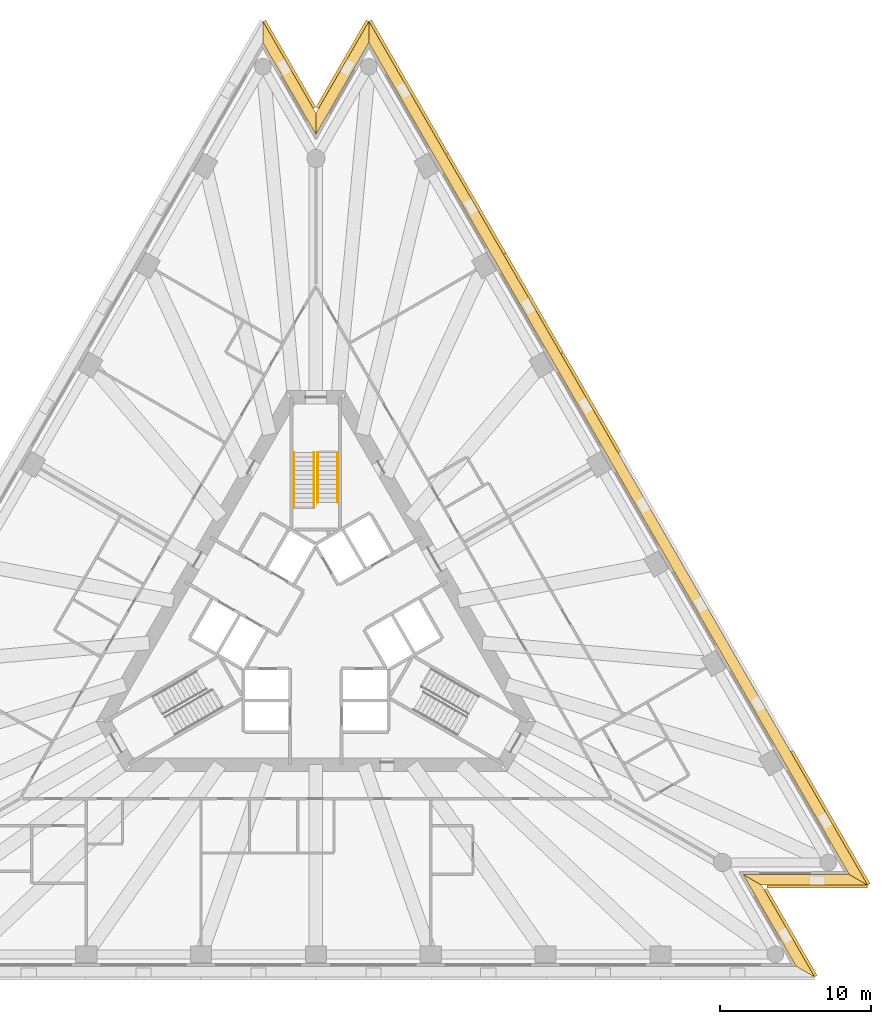
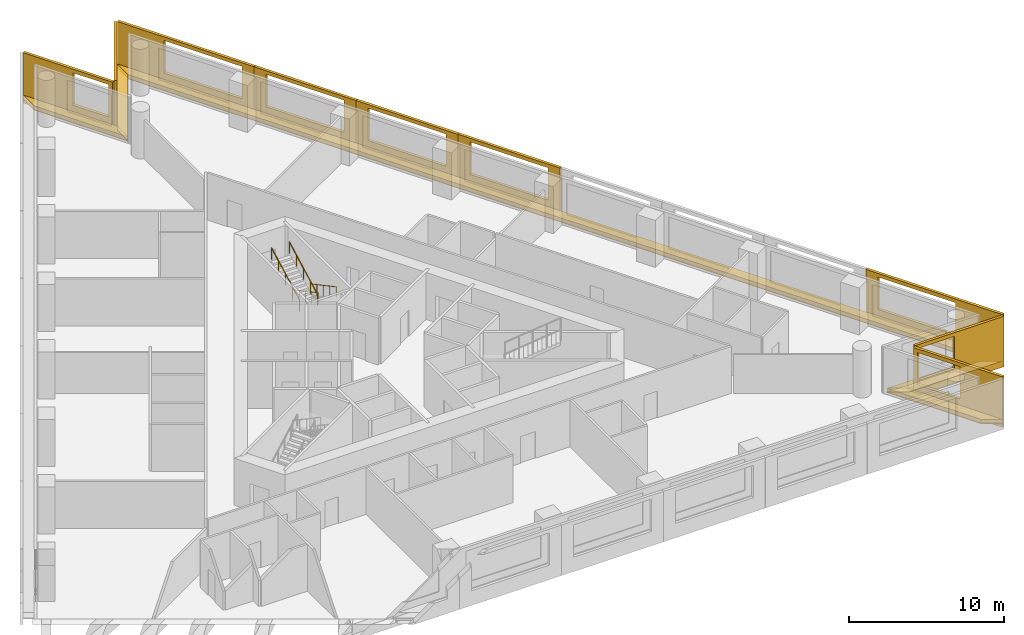
# One storey, part 11 of 11: 14 shading devices, 5 coverings, 4 railings, 1 element without a shape of its own.
"""IFC4 building model written with IfcOpenShell, lengths in metres."""

from ifc_helpers import new_model, si_unit, direction, frame, origin, origin_2d, place, context, subcontext, project, spatial, polyline, circle, outline, extrude, material, layer, layer_set, layer_usage, type_object, element, aggregate, save


model = new_model("IFC4")

# Units and contexts
model_context = context("Model", 3, precision=1e-05, world=origin(), true_north=direction((0.0, 1.0)))
body_context = subcontext(model_context, "Body", "Model", "MODEL_VIEW")
ifc_project = project(units=[si_unit("LENGTHUNIT", "METRE"), si_unit("AREAUNIT", "SQUARE_METRE"), si_unit("VOLUMEUNIT", "CUBIC_METRE"), si_unit("PLANEANGLEUNIT", "RADIAN"), si_unit("MASSUNIT", "GRAM", prefix="KILO")], contexts=[model_context])

# Site, building, storey
site_placement = place(None, origin())
site = spatial("IfcSite", under=ifc_project, at=site_placement, CompositionType="ELEMENT")
building_placement = place(site_placement, origin())
building = spatial("IfcBuilding", under=site, at=building_placement, Name="Triada Interchange Tower", CompositionType="ELEMENT")
storey_placement = place(building_placement, frame((0.0, 0.0, 39.300048828125)))
storey = spatial("IfcBuildingStorey", under=building, at=storey_placement, Name="L07", CompositionType="ELEMENT", Elevation=39.300048828125)

# Coverings
ifc_material_1 = material(Name="Mineral fire-stop board")
ifc_layer_1 = layer(ifc_material_1, 0.0400390625, Name="Mineral fire-stop board")
ifc_material_2 = material(Name="Intumescent sealant")
ifc_layer_2 = layer(ifc_material_2, 0.010009765625, Name="Intumescent seal")
ifc_layer_set_1 = layer_set([ifc_layer_1, ifc_layer_2], Name="Cavity fire stop")
ifc_layer_usage = layer_usage(ifc_layer_set_1, "AXIS3", "POSITIVE", 0.0)
covering_type = type_object("IfcCoveringType", Name="Cavity fire stop", PredefinedType="INSULATION", material=ifc_layer_set_1)
covering_1_placement = place(storey_placement, origin())
element("IfcCovering", 1, at=covering_1_placement, inside=storey, type_object=covering_type, material=ifc_layer_usage, Name="Cavity fire stop L07 SE-1", PredefinedType="INSULATION", context=body_context, shape_type="SweptSolid", body=[
    extrude(outline(polyline([(31.782958984375, -22.39990234375), (32.9951171875, -23.10009765625), (29.488037109375, -17.02490234375), (28.27587890625, -16.324951171875), (31.782958984375, -22.39990234375)])), origin(), (0.0, 0.0, 1.0), 0.050048828125),
])
covering_2_placement = place(storey_placement, origin())
element("IfcCovering", 2, at=covering_2_placement, inside=storey, type_object=covering_type, material=ifc_layer_usage, Name="Cavity fire stop L07 SE-2", PredefinedType="INSULATION", context=body_context, shape_type="SweptSolid", body=[
    extrude(outline(polyline([(28.27587890625, -16.324951171875), (29.488037109375, -17.02490234375), (36.5029296875, -17.02490234375), (35.291015625, -16.324951171875), (28.27587890625, -16.324951171875)])), origin(), (0.0, 0.0, 1.0), 0.050048828125),
])
covering_3_placement = place(storey_placement, origin())
element("IfcCovering", 3, at=covering_3_placement, inside=storey, type_object=covering_type, material=ifc_layer_usage, Name="Cavity fire stop L07 NE", PredefinedType="INSULATION", context=body_context, shape_type="SweptSolid", body=[
    extrude(outline(polyline([(35.291015625, -16.324951171875), (36.5029296875, -17.02490234375), (3.507080078125, 40.125), (3.507080078125, 38.72509765625), (35.291015625, -16.324951171875)])), origin(), (0.0, 0.0, 1.0), 0.050048828125),
])
covering_4_placement = place(storey_placement, origin())
element("IfcCovering", 4, at=covering_4_placement, inside=storey, type_object=covering_type, material=ifc_layer_usage, Name="Cavity fire stop L07 N-1", PredefinedType="INSULATION", context=body_context, shape_type="SweptSolid", body=[
    extrude(outline(polyline([(3.507080078125, 38.72509765625), (3.507080078125, 40.125), (0.0, 34.050048828125), (0.0, 32.64990234375), (3.507080078125, 38.72509765625)])), origin(), (0.0, 0.0, 1.0), 0.050048828125),
])
covering_5_placement = place(storey_placement, origin())
element("IfcCovering", 5, at=covering_5_placement, inside=storey, type_object=covering_type, material=ifc_layer_usage, Name="Cavity fire stop L07 N-2", PredefinedType="INSULATION", context=body_context, shape_type="SweptSolid", body=[
    extrude(outline(polyline([(0.0, 32.64990234375), (0.0, 34.050048828125), (-3.507080078125, 40.125), (-3.507080078125, 38.72509765625), (0.0, 32.64990234375)])), origin(), (0.0, 0.0, 1.0), 0.050048828125),
])

# Shading devices
ifc_material_3 = material(Name="Aluminium louvre", Category="aluminium")
shading_device_type_1 = type_object("IfcShadingDeviceType", Name="Cavity louvre grille", PredefinedType="JALOUSIE", material=ifc_material_3)
shading_device_1_placement = place(storey_placement, frame((0.0, 0.0, 0.050048828125)))
element("IfcShadingDevice", 6, at=shading_device_1_placement, inside=storey, type_object=shading_device_type_1, Name="Cavity louvre grille L07 SE-1", PredefinedType="JALOUSIE", context=body_context, shape_type="SweptSolid", body=[
    extrude(outline(polyline([(31.782958984375, -22.39990234375), (32.9951171875, -23.10009765625), (29.488037109375, -17.02490234375), (28.27587890625, -16.324951171875), (31.782958984375, -22.39990234375)])), origin(), (0.0, 0.0, 1.0), 0.2998046875),
])
shading_device_2_placement = place(storey_placement, frame((0.0, 0.0, 0.050048828125)))
element("IfcShadingDevice", 7, at=shading_device_2_placement, inside=storey, type_object=shading_device_type_1, Name="Cavity louvre grille L07 SE-2", PredefinedType="JALOUSIE", context=body_context, shape_type="SweptSolid", body=[
    extrude(outline(polyline([(28.27587890625, -16.324951171875), (29.488037109375, -17.02490234375), (36.5029296875, -17.02490234375), (35.291015625, -16.324951171875), (28.27587890625, -16.324951171875)])), origin(), (0.0, 0.0, 1.0), 0.2998046875),
])
shading_device_3_placement = place(storey_placement, frame((0.0, 0.0, 0.050048828125)))
element("IfcShadingDevice", 8, at=shading_device_3_placement, inside=storey, type_object=shading_device_type_1, Name="Cavity louvre grille L07 NE", PredefinedType="JALOUSIE", context=body_context, shape_type="SweptSolid", body=[
    extrude(outline(polyline([(35.291015625, -16.324951171875), (36.5029296875, -17.02490234375), (3.507080078125, 40.125), (3.507080078125, 38.72509765625), (35.291015625, -16.324951171875)])), origin(), (0.0, 0.0, 1.0), 0.2998046875),
])
shading_device_4_placement = place(storey_placement, frame((0.0, 0.0, 0.050048828125)))
element("IfcShadingDevice", 9, at=shading_device_4_placement, inside=storey, type_object=shading_device_type_1, Name="Cavity louvre grille L07 N-1", PredefinedType="JALOUSIE", context=body_context, shape_type="SweptSolid", body=[
    extrude(outline(polyline([(3.507080078125, 38.72509765625), (3.507080078125, 40.125), (0.0, 34.050048828125), (0.0, 32.64990234375), (3.507080078125, 38.72509765625)])), origin(), (0.0, 0.0, 1.0), 0.2998046875),
])
shading_device_5_placement = place(storey_placement, frame((0.0, 0.0, 0.050048828125)))
element("IfcShadingDevice", 10, at=shading_device_5_placement, inside=storey, type_object=shading_device_type_1, Name="Cavity louvre grille L07 N-2", PredefinedType="JALOUSIE", context=body_context, shape_type="SweptSolid", body=[
    extrude(outline(polyline([(0.0, 32.64990234375), (0.0, 34.050048828125), (-3.507080078125, 40.125), (-3.507080078125, 38.72509765625), (0.0, 32.64990234375)])), origin(), (0.0, 0.0, 1.0), 0.2998046875),
])
ifc_material_4 = material(Name="Concrete C50/60 precast", Category="concrete")
ifc_layer_3 = layer(ifc_material_4, 0.02001953125, Name="Exposed aggregate face")
ifc_layer_4 = layer(ifc_material_4, 0.179931640625, Name="Precast concrete screen")
ifc_layer_set_2 = layer_set([ifc_layer_3, ifc_layer_4], Name="Outer skin screen panel 3980")
shading_device_type_2 = type_object("IfcShadingDeviceType", Name="Outer skin screen panel 3980", PredefinedType="SHUTTER", material=ifc_layer_set_2)
shading_device_6_placement = place(storey_placement, frame((32.989990234375, -23.091064453125, -0.2900390625), z_axis=(0.0, 0.0, 1.0), x_axis=(-0.50001386285, 0.866017399916, 0.0)))
element("IfcShadingDevice", 11, at=shading_device_6_placement, inside=storey, type_object=shading_device_type_2, Name="Outer skin screen panel L07 19", PredefinedType="SHUTTER", context=body_context, shape_type="SweptSolid", body=[
    extrude(outline(polyline([(0.0, 0.0), (6.647705078125, 0.0), (6.647705078125, 3.97998046875), (0.0, 3.97998046875), (0.0, 0.0)]), holes=[polyline([(3.17529296875, 1.139892578125), (3.17529296875, 3.68994140625), (6.347900390625, 3.68994140625), (6.347900390625, 1.139892578125), (3.17529296875, 1.139892578125)])]), frame((0.0, 0.0, 0.0), z_axis=(0.0, -1.0, 0.0), x_axis=(1.0, 0.0, 0.0)), (0.0, 0.0, 1.0), 0.199951171875),
])
shading_device_7_placement = place(storey_placement, frame((29.844970703125, -17.02490234375, -0.2900390625), z_axis=(0.0, 0.0, 1.0), x_axis=(1.0, 0.0, 0.0)))
element("IfcShadingDevice", 12, at=shading_device_7_placement, inside=storey, type_object=shading_device_type_2, Name="Outer skin screen panel L07 20", PredefinedType="SHUTTER", context=body_context, shape_type="SweptSolid", body=[
    extrude(outline(polyline([(0.0, 0.0), (6.64794921875, 0.0), (6.64794921875, 3.97998046875), (0.0, 3.97998046875), (0.0, 0.0)]), holes=[polyline([(0.300048828125, 1.139892578125), (0.300048828125, 3.68994140625), (2.9580078125, 3.68994140625), (2.9580078125, 1.139892578125), (0.300048828125, 1.139892578125)])]), frame((0.0, 0.0, 0.0), z_axis=(0.0, -1.0, 0.0), x_axis=(1.0, 0.0, 0.0)), (0.0, 0.0, 1.0), 0.199951171875),
])
shading_device_8_placement = place(storey_placement, frame((36.498046875, -17.01611328125, -0.2900390625), z_axis=(0.0, 0.0, 1.0), x_axis=(-0.500016609325, 0.866015814174, 0.0)))
element("IfcShadingDevice", 13, at=shading_device_8_placement, inside=storey, type_object=shading_device_type_2, Name="Outer skin screen panel L07 21", PredefinedType="SHUTTER", context=body_context, shape_type="SweptSolid", body=[
    extrude(outline(polyline([(0.0, 0.0), (10.177978515625, 0.0), (10.177978515625, 3.97998046875), (0.0, 3.97998046875), (0.0, 0.0)]), holes=[polyline([(3.4873046875, 1.139892578125), (3.4873046875, 3.68994140625), (9.287353515625, 3.68994140625), (9.287353515625, 1.139892578125), (3.4873046875, 1.139892578125)])]), frame((0.0, 0.0, 0.0), z_axis=(0.0, -1.0, 0.0), x_axis=(1.0, 0.0, 0.0)), (0.0, 0.0, 1.0), 0.199951171875),
])
shading_device_9_placement = place(storey_placement, frame((20.0, 11.55908203125, -0.2900390625), z_axis=(0.0, 0.0, 1.0), x_axis=(-0.500032870163, 0.866006425355, 0.0)))
element("IfcShadingDevice", 14, at=shading_device_9_placement, inside=storey, type_object=shading_device_type_2, Name="Outer skin screen panel L07 25", PredefinedType="SHUTTER", context=body_context, shape_type="SweptSolid", body=[
    extrude(outline(polyline([(0.0, 0.0), (7.57958984375, 0.0), (7.57958984375, 3.97998046875), (0.0, 3.97998046875), (0.0, 0.0)]), holes=[polyline([(0.8896484375, 1.139892578125), (0.8896484375, 3.68994140625), (6.689697265625, 3.68994140625), (6.689697265625, 1.139892578125), (0.8896484375, 1.139892578125)])]), frame((0.0, 0.0, 0.0), z_axis=(0.0, -1.0, 0.0), x_axis=(1.0, 0.0, 0.0)), (0.0, 0.0, 1.0), 0.199951171875),
])
shading_device_10_placement = place(storey_placement, frame((16.199951171875, 18.139892578125, -0.2900390625), z_axis=(0.0, 0.0, 1.0), x_axis=(-0.499922287265, 0.866070266604, 0.0)))
element("IfcShadingDevice", 15, at=shading_device_10_placement, inside=storey, type_object=shading_device_type_2, Name="Outer skin screen panel L07 26", PredefinedType="SHUTTER", context=body_context, shape_type="SweptSolid", body=[
    extrude(outline(polyline([(0.0, 0.0), (7.579345703125, 0.0), (7.579345703125, 3.97998046875), (0.0, 3.97998046875), (0.0, 0.0)]), holes=[polyline([(0.88916015625, 1.139892578125), (0.88916015625, 3.68994140625), (6.689208984375, 3.68994140625), (6.689208984375, 1.139892578125), (0.88916015625, 1.139892578125)])]), frame((0.0, 0.0, 0.0), z_axis=(0.0, -1.0, 0.0), x_axis=(1.0, 0.0, 0.0)), (0.0, 0.0, 1.0), 0.199951171875),
])
shading_device_11_placement = place(storey_placement, frame((12.40087890625, 24.720947265625, -0.2900390625), z_axis=(0.0, 0.0, 1.0), x_axis=(-0.500008712905, 0.866020373328, 0.0)))
element("IfcShadingDevice", 16, at=shading_device_11_placement, inside=storey, type_object=shading_device_type_2, Name="Outer skin screen panel L07 27", PredefinedType="SHUTTER", context=body_context, shape_type="SweptSolid", body=[
    extrude(outline(polyline([(0.0, 0.0), (7.579345703125, 0.0), (7.579345703125, 3.97998046875), (0.0, 3.97998046875), (0.0, 0.0)]), holes=[polyline([(0.889892578125, 1.139892578125), (0.889892578125, 3.68994140625), (6.689697265625, 3.68994140625), (6.689697265625, 1.139892578125), (0.889892578125, 1.139892578125)])]), frame((0.0, 0.0, 0.0), z_axis=(0.0, -1.0, 0.0), x_axis=(1.0, 0.0, 0.0)), (0.0, 0.0, 1.0), 0.199951171875),
])
shading_device_12_placement = place(storey_placement, frame((8.60107421875, 31.302001953125, -0.2900390625), z_axis=(0.0, 0.0, 1.0), x_axis=(-0.500026996568, 0.866009816748, 0.0)))
element("IfcShadingDevice", 17, at=shading_device_12_placement, inside=storey, type_object=shading_device_type_2, Name="Outer skin screen panel L07 28", PredefinedType="SHUTTER", context=body_context, shape_type="SweptSolid", body=[
    extrude(outline(polyline([(0.0, 0.0), (10.177734375, 0.0), (10.177734375, 3.97998046875), (0.0, 3.97998046875), (0.0, 0.0)]), holes=[polyline([(0.889404296875, 1.139892578125), (0.889404296875, 3.68994140625), (6.689453125, 3.68994140625), (6.689453125, 1.139892578125), (0.889404296875, 1.139892578125)])]), frame((0.0, 0.0, 0.0), z_axis=(0.0, -1.0, 0.0), x_axis=(1.0, 0.0, 0.0)), (0.0, 0.0, 1.0), 0.199951171875),
])
shading_device_13_placement = place(storey_placement, frame((3.501953125, 40.115966796875, -0.2900390625), z_axis=(0.0, 0.0, 1.0), x_axis=(-0.50001386285, -0.866017399916, 0.0)))
element("IfcShadingDevice", 18, at=shading_device_13_placement, inside=storey, type_object=shading_device_type_2, Name="Outer skin screen panel L07 29", PredefinedType="SHUTTER", context=body_context, shape_type="SweptSolid", body=[
    extrude(outline(polyline([(0.0, 0.0), (6.647705078125, 0.0), (6.647705078125, 3.97998046875), (0.0, 3.97998046875), (0.0, 0.0)]), holes=[polyline([(3.175537109375, 1.139892578125), (3.175537109375, 3.68994140625), (6.34814453125, 3.68994140625), (6.34814453125, 1.139892578125), (3.175537109375, 1.139892578125)])]), frame((0.0, 0.0, 0.0), z_axis=(0.0, -1.0, 0.0), x_axis=(1.0, 0.0, 0.0)), (0.0, 0.0, 1.0), 0.199951171875),
])
shading_device_14_placement = place(storey_placement, frame((-0.177978515625, 34.35888671875, -0.2900390625), z_axis=(0.0, 0.0, 1.0), x_axis=(-0.50001386285, 0.866017399916, 0.0)))
element("IfcShadingDevice", 19, at=shading_device_14_placement, inside=storey, type_object=shading_device_type_2, Name="Outer skin screen panel L07 30", PredefinedType="SHUTTER", context=body_context, shape_type="SweptSolid", body=[
    extrude(outline(polyline([(0.0, 0.0), (6.647705078125, 0.0), (6.647705078125, 3.97998046875), (0.0, 3.97998046875), (0.0, 0.0)]), holes=[polyline([(0.300048828125, 1.139892578125), (0.300048828125, 3.68994140625), (2.957763671875, 3.68994140625), (2.957763671875, 1.139892578125), (0.300048828125, 1.139892578125)])]), frame((0.0, 0.0, 0.0), z_axis=(0.0, -1.0, 0.0), x_axis=(1.0, 0.0, 0.0)), (0.0, 0.0, 1.0), 0.199951171875),
])

# Stair, railings
ifc_material_5 = material(Name="Concrete C35/45", Category="concrete")
stair_type = type_object("IfcStairType", Name="HALF TURN STAIR 1400", PredefinedType="HALF_TURN_STAIR", material=ifc_material_5)
stair_placement = place(storey_placement, origin())
stair = element("IfcStair", 20, at=stair_placement, inside=storey, type_object=stair_type, Name="Exit stair S06-1", PredefinedType="HALF_TURN_STAIR")
ifc_material_6 = material(Name="Stainless steel 1.4301", Category="steel")
railing_type = type_object("IfcRailingType", Name="STAIR HANDRAIL 900", PredefinedType="HANDRAIL", material=ifc_material_6)
railing_1_placement = place(storey_placement, frame((1.449951171875, 11.60009765625, 0.159912109375)))
railing_1 = element("IfcRailing", 21, at=railing_1_placement, type_object=railing_type, Name="Handrail S06-1 1W", PredefinedType="HANDRAIL", context=body_context, shape_type="SweptSolid", body=[
    extrude(circle(Radius=0.02392578125, at=origin_2d()), frame((0.0, 0.0, 0.8759765625), z_axis=(0.0, -0.882354748157, 0.47058484719), x_axis=(1.0, 0.0, 0.0)), (0.0, 0.0, 1.0), 3.739990234375),
    extrude(circle(Radius=0.02099609375, at=origin_2d()), origin(), (0.0, 0.0, 1.0), 0.851806640625),
    extrude(circle(Radius=0.02099609375, at=origin_2d()), frame((0.0, -0.824951171875, 0.43994140625)), (0.0, 0.0, 1.0), 0.851806640625),
    extrude(circle(Radius=0.02099609375, at=origin_2d()), frame((0.0, -1.64990234375, 0.8798828125)), (0.0, 0.0, 1.0), 0.851806640625),
    extrude(circle(Radius=0.02099609375, at=origin_2d()), frame((0.0, -2.47509765625, 1.320068359375)), (0.0, 0.0, 1.0), 0.851806640625),
    extrude(circle(Radius=0.02099609375, at=origin_2d()), frame((0.0, -3.300048828125, 1.760009765625)), (0.0, 0.0, 1.0), 0.851806640625),
])
railing_2_placement = place(storey_placement, frame((0.1201171875, 11.60009765625, 0.159912109375)))
railing_2 = element("IfcRailing", 22, at=railing_2_placement, type_object=railing_type, Name="Handrail S06-1 1C", PredefinedType="HANDRAIL", context=body_context, shape_type="SweptSolid", body=[
    extrude(circle(Radius=0.02392578125, at=origin_2d()), frame((0.0, 0.0, 0.8759765625), z_axis=(0.0, -0.882354748157, 0.47058484719), x_axis=(1.0, 0.0, 0.0)), (0.0, 0.0, 1.0), 3.739990234375),
    extrude(circle(Radius=0.02099609375, at=origin_2d()), origin(), (0.0, 0.0, 1.0), 0.851806640625),
    extrude(circle(Radius=0.02099609375, at=origin_2d()), frame((0.0, -0.824951171875, 0.43994140625)), (0.0, 0.0, 1.0), 0.851806640625),
    extrude(circle(Radius=0.02099609375, at=origin_2d()), frame((0.0, -1.64990234375, 0.8798828125)), (0.0, 0.0, 1.0), 0.851806640625),
    extrude(circle(Radius=0.02099609375, at=origin_2d()), frame((0.0, -2.47509765625, 1.320068359375)), (0.0, 0.0, 1.0), 0.851806640625),
    extrude(circle(Radius=0.02099609375, at=origin_2d()), frame((0.0, -3.300048828125, 1.760009765625)), (0.0, 0.0, 1.0), 0.851806640625),
])
railing_3_placement = place(storey_placement, frame((-1.449951171875, 8.0, 2.079833984375)))
railing_3 = element("IfcRailing", 23, at=railing_3_placement, type_object=railing_type, Name="Handrail S06-1 2W", PredefinedType="HANDRAIL", context=body_context, shape_type="SweptSolid", body=[
    extrude(circle(Radius=0.02392578125, at=origin_2d()), frame((0.0, 0.0, 0.8759765625), z_axis=(0.0, 0.882341346394, 0.470609974867), x_axis=(-1.0, 0.0, 0.0)), (0.0, 0.0, 1.0), 4.080078125),
    extrude(circle(Radius=0.02099609375, at=origin_2d()), origin(), (0.0, 0.0, 1.0), 0.851806640625),
    extrude(circle(Radius=0.02099609375, at=origin_2d()), frame((0.0, 0.89990234375, 0.47998046875)), (0.0, 0.0, 1.0), 0.851806640625),
    extrude(circle(Radius=0.02099609375, at=origin_2d()), frame((0.0, 1.800048828125, 0.9599609375)), (0.0, 0.0, 1.0), 0.851806640625),
    extrude(circle(Radius=0.02099609375, at=origin_2d()), frame((0.0, 2.7001953125, 1.440185546875)), (0.0, 0.0, 1.0), 0.851806640625),
    extrude(circle(Radius=0.02099609375, at=origin_2d()), frame((0.0, 3.60009765625, 1.920166015625)), (0.0, 0.0, 1.0), 0.851806640625),
])
railing_4_placement = place(storey_placement, frame((-0.1201171875, 8.0, 2.079833984375)))
railing_4 = element("IfcRailing", 24, at=railing_4_placement, type_object=railing_type, Name="Handrail S06-1 2C", PredefinedType="HANDRAIL", context=body_context, shape_type="SweptSolid", body=[
    extrude(circle(Radius=0.02392578125, at=origin_2d()), frame((0.0, 0.0, 0.8759765625), z_axis=(0.0, 0.882341346394, 0.470609974867), x_axis=(-1.0, 0.0, 0.0)), (0.0, 0.0, 1.0), 4.080078125),
    extrude(circle(Radius=0.02099609375, at=origin_2d()), origin(), (0.0, 0.0, 1.0), 0.851806640625),
    extrude(circle(Radius=0.02099609375, at=origin_2d()), frame((0.0, 0.89990234375, 0.47998046875)), (0.0, 0.0, 1.0), 0.851806640625),
    extrude(circle(Radius=0.02099609375, at=origin_2d()), frame((0.0, 1.800048828125, 0.9599609375)), (0.0, 0.0, 1.0), 0.851806640625),
    extrude(circle(Radius=0.02099609375, at=origin_2d()), frame((0.0, 2.7001953125, 1.440185546875)), (0.0, 0.0, 1.0), 0.851806640625),
    extrude(circle(Radius=0.02099609375, at=origin_2d()), frame((0.0, 3.60009765625, 1.920166015625)), (0.0, 0.0, 1.0), 0.851806640625),
])
aggregate(stair, [railing_1, railing_2, railing_3, railing_4])

save(model, "model.ifc")
